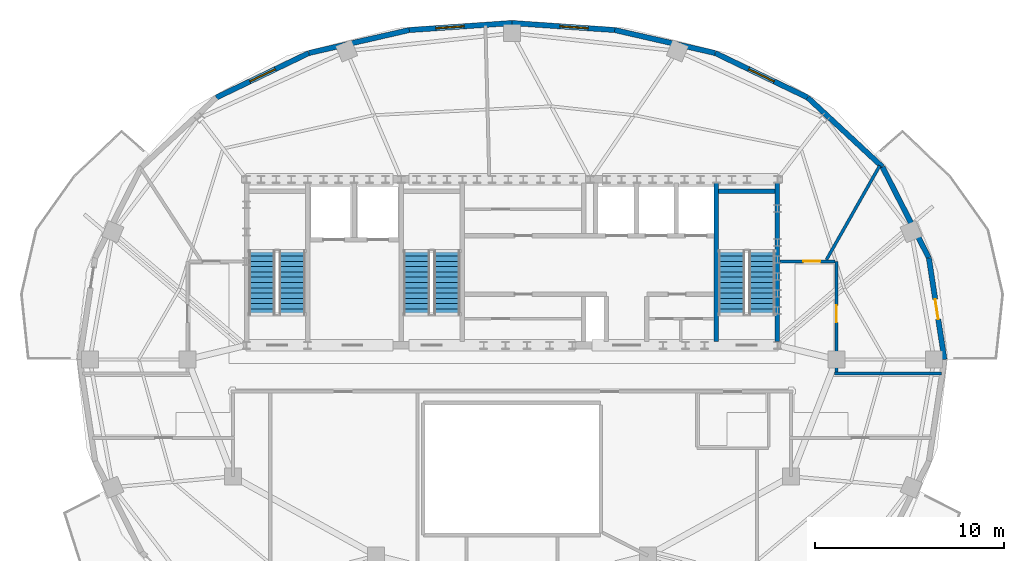
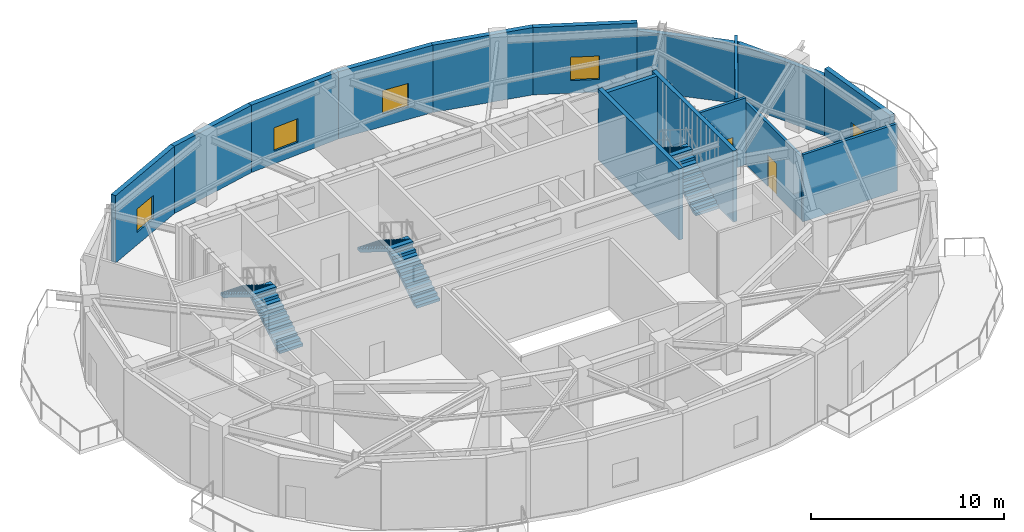
# One storey, part 5 of 9: 16 walls, 6 stair flights, 4 windows, 3 doors, 7 openings, 3 elements without a shape of their own.
"""IFC4 building model written with IfcOpenShell, lengths in metres."""

from ifc_helpers import new_model, si_unit, direction, frame, frame_2d, origin, place, context, subcontext, project, spatial, polyline, rectangle, outline, extrude, material, layer, layer_set, type_object, element, fill, aggregate, save


model = new_model("IFC4")

# Units and contexts
model_context = context("Model", 3, precision=1e-05, world=origin(), true_north=direction((0.0, 1.0)))
body_context = subcontext(model_context, "Body", "Model", "MODEL_VIEW")
ifc_project = project(units=[si_unit("LENGTHUNIT", "METRE"), si_unit("AREAUNIT", "SQUARE_METRE"), si_unit("VOLUMEUNIT", "CUBIC_METRE"), si_unit("PLANEANGLEUNIT", "RADIAN"), si_unit("MASSUNIT", "GRAM", prefix="KILO")], contexts=[model_context])

# Site, building, storey
site_placement = place(None, origin())
site = spatial("IfcSite", under=ifc_project, at=site_placement, CompositionType="ELEMENT")
building_placement = place(site_placement, origin())
building = spatial("IfcBuilding", under=site, at=building_placement, Name="Haldorwick Loom Tower", CompositionType="ELEMENT")
storey_placement = place(building_placement, frame((0.0, 0.0, 277.5)))
storey = spatial("IfcBuildingStorey", under=building, at=storey_placement, Name="L75", CompositionType="ELEMENT", Elevation=277.5)

# Wall, opening, door
ifc_material_1 = material(Name="Pressed Clay Face Brick and Insulated Masonry Backup Assembly", Category="masonry")
ifc_layer_1 = layer(ifc_material_1, 0.280029296875, Name="Pressed Clay Face Brick and Insulated Masonry Backup Assembly", Category="masonry")
ifc_layer_set_1 = layer_set([ifc_layer_1], Name="Pressed Clay Face Brick and Insulated Masonry Backup Assembly")
wall_type_1 = type_object("IfcWallType", Name="ARC-WL-EXT280", PredefinedType="STANDARD", material=ifc_layer_set_1)
wall_1_placement = place(storey_placement, frame((58.9208984375, 26.0, 0.0), z_axis=(0.0, 0.0, 1.0), x_axis=(-0.151110573005, 0.988516866182, 0.0)))
wall_1 = element("IfcWall", 1, at=wall_1_placement, inside=storey, type_object=wall_type_1, Name="L75 Brick Pier and Spandrel Wall 1", PredefinedType="STANDARD", context=body_context, shape_type="SweptSolid", body=[
    extrude(rectangle(XDim=5.4462890625, YDim=0.280029296875, at=frame_2d((2.72314453125, 0.0))), origin(), (0.0, 0.0, 1.0), 4.260009765625),
])
opening_1_placement = place(wall_1_placement, frame((2.15283203125, 0.0, 0.0)))
opening_1 = element("IfcOpeningElement", 2, at=opening_1_placement, cuts=wall_1, Name="Opening D-BL11", PredefinedType="OPENING", context=body_context, shape_type="SweptSolid", body=[
    extrude(rectangle(XDim=1.080078125, YDim=2.0400390625, at=frame_2d((0.5400390625, 1.02001953125))), frame((0.0, 0.14990234375, 0.0), z_axis=(0.0, -1.0, 0.0), x_axis=(1.0, 0.0, 0.0)), (0.0, 0.0, 1.0), 0.300048828125),
])
ifc_material_2 = material(Name="Thermally Broken Anodized Aluminium Curtain Wall Framing", Category="aluminium")
door_type_1 = type_object("IfcDoorType", Name="ARC-DR-BAL110", OperationType="NOTDEFINED", PredefinedType="DOOR", material=ifc_material_2)
door_1_placement = place(opening_1_placement, origin())
door_1 = element("IfcDoor", 3, at=door_1_placement, inside=storey, type_object=door_type_1, Name="L75 Outdoor Terrace Door SLB-L75-BAL_ENE", OperationType="SINGLE_SWING_RIGHT", OverallHeight=2.0400390625, OverallWidth=1.080078125, PredefinedType="DOOR", context=body_context, shape_type="SweptSolid", body=[
    extrude(rectangle(XDim=1.080078125, YDim=2.0400390625, at=frame_2d((0.5400390625, 1.02001953125))), frame((0.0, 0.02490234375, 0.0), z_axis=(0.0, -1.0, 0.0), x_axis=(1.0, 0.0, 0.0)), (0.0, 0.0, 1.0), 0.050048828125),
])
fill(opening_1, door_1)

# Walls
for number, where, z_axis, x_axis, name in (
    (4, (58.097900390625, 31.3837890625, 0.0), (0.0, 0.0, 1.0), (-0.454417014044, 0.890789075678, 0.0), "L75 Brick Pier and Spandrel Wall 2"),
    (5, (55.638671875, 36.20458984375, 0.0), (0.0, 0.0, 1.0), (-0.733156506145, 0.680059951399, 0.0), "L75 Brick Pier and Spandrel Wall 3"),
):
    element("IfcWall", number, at=place(storey_placement, frame(where, z_axis=z_axis, x_axis=x_axis)), inside=storey, type_object=wall_type_1, Name=name, PredefinedType="STANDARD", context=body_context, shape_type="SweptSolid", body=[
        extrude(rectangle(XDim=5.411865234375, YDim=0.280029296875, at=frame_2d((2.7060546875, 0.0))), origin(), (0.0, 0.0, 1.0), 3.76904296875),
    ])

# Wall, opening, window
wall_2_placement = place(storey_placement, frame((51.6708984375, 39.885009765625, 0.0), z_axis=(0.0, 0.0, 1.0), x_axis=(-0.901083511605, 0.433645598518, 0.0)))
wall_2 = element("IfcWall", 6, at=wall_2_placement, inside=storey, type_object=wall_type_1, Name="L75 Brick Pier and Spandrel Wall 4", PredefinedType="STANDARD", context=body_context, shape_type="SweptSolid", body=[
    extrude(rectangle(XDim=5.440185546875, YDim=0.280029296875, at=frame_2d((2.72021484375, 0.0))), origin(), (0.0, 0.0, 1.0), 4.260009765625),
])
opening_2_placement = place(wall_2_placement, frame((1.97021484375, 0.0, 0.800048828125)))
opening_2 = element("IfcOpeningElement", 7, at=opening_2_placement, cuts=wall_2, Name="Opening W-02", PredefinedType="OPENING", context=body_context, shape_type="SweptSolid", body=[
    extrude(rectangle(XDim=1.5, YDim=1.47998046875, at=frame_2d((0.75, 0.739990234375))), frame((0.0, 0.14990234375, 0.0), z_axis=(0.0, -1.0, 0.0), x_axis=(1.0, 0.0, 0.0)), (0.0, 0.0, 1.0), 0.300048828125),
])
ifc_material_3 = material(Name="Triple-Glazed Low-E Argon Insulated Glazing Unit", Category="glass")
window_type = type_object("IfcWindowType", Name="ARC-WIN-W150", PartitioningType="SINGLE_PANEL", PredefinedType="WINDOW", material=ifc_material_3)
window_1_placement = place(opening_2_placement, origin())
window_1 = element("IfcWindow", 8, at=window_1_placement, inside=storey, type_object=window_type, Name="L75 Deep-Set Zone 7A Window 4", OverallHeight=1.47998046875, OverallWidth=1.5, PartitioningType="SINGLE_PANEL", PredefinedType="WINDOW", context=body_context, shape_type="SweptSolid", body=[
    extrude(rectangle(XDim=1.5, YDim=1.47998046875, at=frame_2d((0.75, 0.739990234375))), frame((0.0, 0.030029296875, 0.0), z_axis=(0.0, -1.0, 0.0), x_axis=(1.0, 0.0, 0.0)), (0.0, 0.0, 1.0), 0.06005859375),
])
fill(opening_2, window_1)

# Wall
wall_3_placement = place(storey_placement, frame((46.768798828125, 42.244140625, 0.0), z_axis=(0.0, 0.0, 1.0), x_axis=(-0.974769032237, 0.223215890545, 0.0)))
element("IfcWall", 9, at=wall_3_placement, inside=storey, type_object=wall_type_1, Name="L75 Brick Pier and Spandrel Wall 5", PredefinedType="STANDARD", context=body_context, shape_type="SweptSolid", body=[
    extrude(rectangle(XDim=5.457763671875, YDim=0.280029296875, at=frame_2d((2.72900390625, 0.0))), origin(), (0.0, 0.0, 1.0), 4.260009765625),
])

# Wall, opening, window
wall_4_placement = place(storey_placement, frame((41.44873046875, 43.46240234375, 0.0), z_axis=(0.0, 0.0, 1.0), x_axis=(-0.997667530395, 0.068260521503, 0.0)))
wall_4 = element("IfcWall", 10, at=wall_4_placement, inside=storey, type_object=wall_type_1, Name="L75 Brick Pier and Spandrel Wall 6", PredefinedType="STANDARD", context=body_context, shape_type="SweptSolid", body=[
    extrude(rectangle(XDim=5.46142578125, YDim=0.280029296875, at=frame_2d((2.730712890625, 0.0))), origin(), (0.0, 0.0, 1.0), 4.260009765625),
])
opening_3_placement = place(wall_4_placement, frame((1.413818359375, 0.0, 0.800048828125)))
opening_3 = element("IfcOpeningElement", 11, at=opening_3_placement, cuts=wall_4, Name="Opening W-02", PredefinedType="OPENING", context=body_context, shape_type="SweptSolid", body=[
    extrude(rectangle(XDim=1.5, YDim=1.47998046875, at=frame_2d((0.75, 0.739990234375))), frame((0.0, 0.14990234375, 0.0), z_axis=(0.0, -1.0, 0.0), x_axis=(1.0, 0.0, 0.0)), (0.0, 0.0, 1.0), 0.300048828125),
])
window_2_placement = place(opening_3_placement, origin())
window_2 = element("IfcWindow", 12, at=window_2_placement, inside=storey, type_object=window_type, Name="L75 Deep-Set Zone 7A Window 6", OverallHeight=1.47998046875, OverallWidth=1.5, PartitioningType="SINGLE_PANEL", PredefinedType="WINDOW", context=body_context, shape_type="SweptSolid", body=[
    extrude(rectangle(XDim=1.5, YDim=1.47998046875, at=frame_2d((0.75, 0.739990234375))), frame((0.0, 0.030029296875, 0.0), z_axis=(0.0, -1.0, 0.0), x_axis=(1.0, 0.0, 0.0)), (0.0, 0.0, 1.0), 0.06005859375),
])
fill(opening_3, window_2)

wall_5_placement = place(storey_placement, frame((36.0, 43.835205078125, 0.0), z_axis=(0.0, 0.0, 1.0), x_axis=(-0.997667530395, -0.068260521503, 0.0)))
wall_5 = element("IfcWall", 13, at=wall_5_placement, inside=storey, type_object=wall_type_1, Name="L75 Brick Pier and Spandrel Wall 7", PredefinedType="STANDARD", context=body_context, shape_type="SweptSolid", body=[
    extrude(rectangle(XDim=5.46142578125, YDim=0.280029296875, at=frame_2d((2.730712890625, 0.0))), origin(), (0.0, 0.0, 1.0), 4.260009765625),
])
opening_4_placement = place(wall_5_placement, frame((2.547607421875, 0.0, 0.800048828125)))
opening_4 = element("IfcOpeningElement", 14, at=opening_4_placement, cuts=wall_5, Name="Opening W-02", PredefinedType="OPENING", context=body_context, shape_type="SweptSolid", body=[
    extrude(rectangle(XDim=1.5, YDim=1.47998046875, at=frame_2d((0.75, 0.739990234375))), frame((0.0, 0.14990234375, 0.0), z_axis=(0.0, -1.0, 0.0), x_axis=(1.0, 0.0, 0.0)), (0.0, 0.0, 1.0), 0.300048828125),
])
window_3_placement = place(opening_4_placement, origin())
window_3 = element("IfcWindow", 15, at=window_3_placement, inside=storey, type_object=window_type, Name="L75 Deep-Set Zone 7A Window 7", OverallHeight=1.47998046875, OverallWidth=1.5, PartitioningType="SINGLE_PANEL", PredefinedType="WINDOW", context=body_context, shape_type="SweptSolid", body=[
    extrude(rectangle(XDim=1.5, YDim=1.47998046875, at=frame_2d((0.75, 0.739990234375))), frame((0.0, 0.030029296875, 0.0), z_axis=(0.0, -1.0, 0.0), x_axis=(1.0, 0.0, 0.0)), (0.0, 0.0, 1.0), 0.06005859375),
])
fill(opening_4, window_3)

# Wall
wall_6_placement = place(storey_placement, frame((30.55126953125, 43.46240234375, 0.0), z_axis=(0.0, 0.0, 1.0), x_axis=(-0.974769032237, -0.223215890545, 0.0)))
element("IfcWall", 16, at=wall_6_placement, inside=storey, type_object=wall_type_1, Name="L75 Brick Pier and Spandrel Wall 8", PredefinedType="STANDARD", context=body_context, shape_type="SweptSolid", body=[
    extrude(rectangle(XDim=5.457763671875, YDim=0.280029296875, at=frame_2d((2.72900390625, 0.0))), origin(), (0.0, 0.0, 1.0), 4.260009765625),
])

# Wall, opening, window
wall_7_placement = place(storey_placement, frame((25.231201171875, 42.244140625, 0.0), z_axis=(0.0, 0.0, 1.0), x_axis=(-0.901083511605, -0.433645598518, 0.0)))
wall_7 = element("IfcWall", 17, at=wall_7_placement, inside=storey, type_object=wall_type_1, Name="L75 Brick Pier and Spandrel Wall 9", PredefinedType="STANDARD", context=body_context, shape_type="SweptSolid", body=[
    extrude(rectangle(XDim=5.440185546875, YDim=0.280029296875, at=frame_2d((2.72021484375, 0.0))), origin(), (0.0, 0.0, 1.0), 4.260009765625),
])
opening_5_placement = place(wall_7_placement, frame((1.97021484375, 0.0, 0.800048828125)))
opening_5 = element("IfcOpeningElement", 18, at=opening_5_placement, cuts=wall_7, Name="Opening W-02", PredefinedType="OPENING", context=body_context, shape_type="SweptSolid", body=[
    extrude(rectangle(XDim=1.5, YDim=1.47998046875, at=frame_2d((0.75, 0.739990234375))), frame((0.0, 0.14990234375, 0.0), z_axis=(0.0, -1.0, 0.0), x_axis=(1.0, 0.0, 0.0)), (0.0, 0.0, 1.0), 0.300048828125),
])
window_4_placement = place(opening_5_placement, origin())
window_4 = element("IfcWindow", 19, at=window_4_placement, inside=storey, type_object=window_type, Name="L75 Deep-Set Zone 7A Window 9", OverallHeight=1.47998046875, OverallWidth=1.5, PartitioningType="SINGLE_PANEL", PredefinedType="WINDOW", context=body_context, shape_type="SweptSolid", body=[
    extrude(rectangle(XDim=1.5, YDim=1.47998046875, at=frame_2d((0.75, 0.739990234375))), frame((0.0, 0.030029296875, 0.0), z_axis=(0.0, -1.0, 0.0), x_axis=(1.0, 0.0, 0.0)), (0.0, 0.0, 1.0), 0.06005859375),
])
fill(opening_5, window_4)

# Wall
ifc_material_4 = material(Name="Fire-Rated Type X Gypsum Stud Assembly EI 60")
ifc_layer_2 = layer(ifc_material_4, 0.159912109375, Name="Fire-Rated Type X Gypsum Stud Assembly EI 60")
ifc_layer_set_2 = layer_set([ifc_layer_2], Name="Fire-Rated Type X Gypsum Stud Assembly EI 60")
wall_type_2 = type_object("IfcWallType", Name="ARC-WL-FIRE160", PredefinedType="PARTITIONING", material=ifc_layer_set_2)
wall_8_placement = place(storey_placement, frame((53.10009765625, 25.25, 0.0), z_axis=(0.0, 0.0, 1.0), x_axis=(1.0, 0.0, 0.0)))
element("IfcWall", 20, at=wall_8_placement, inside=storey, type_object=wall_type_2, Name="L75 Residential Fire Partition L75-CR-NEL", PredefinedType="PARTITIONING", context=body_context, shape_type="SweptSolid", body=[
    extrude(rectangle(XDim=5.660400390625, YDim=0.159912109375, at=frame_2d((2.830078125, 0.0))), origin(), (0.0, 0.0, 1.0), 4.2451171875),
])

# Wall, opening, door
wall_9_placement = place(storey_placement, frame((53.199951171875, 25.3330078125, 0.0), z_axis=(0.0, 0.0, 1.0), x_axis=(0.0, 1.0, 0.0)))
wall_9 = element("IfcWall", 21, at=wall_9_placement, inside=storey, type_object=wall_type_2, Name="L75 Residential Fire Partition L75-CR-E0", PredefinedType="PARTITIONING", context=body_context, shape_type="SweptSolid", body=[
    extrude(rectangle(XDim=5.866943359375, YDim=0.159912109375, at=frame_2d((2.93359375, 0.0))), origin(), (0.0, 0.0, 1.0), 3.97705078125),
])
opening_6_placement = place(wall_9_placement, frame((2.634521484375, 0.0, 0.0)))
opening_6 = element("IfcOpeningElement", 22, at=opening_6_placement, cuts=wall_9, Name="Opening D-FD60A", PredefinedType="OPENING", context=body_context, shape_type="SweptSolid", body=[
    extrude(rectangle(XDim=0.89990234375, YDim=2.0, at=frame_2d((0.449951171875, 1.0))), frame((0.0, 0.08984375, 0.0), z_axis=(0.0, -1.0, 0.0), x_axis=(1.0, 0.0, 0.0)), (0.0, 0.0, 1.0), 0.179931640625),
])
ifc_material_5 = material(Name="Hollow Steel Fire Door Assembly", Category="steel")
door_type_2 = type_object("IfcDoorType", Name="ARC-DR-FD60-90", OperationType="NOTDEFINED", PredefinedType="DOOR", material=ifc_material_5)
door_2_placement = place(opening_6_placement, origin())
door_2 = element("IfcDoor", 23, at=door_2_placement, inside=storey, type_object=door_type_2, Name="L75 L75 Central Residential Corridor to Co-Working Open Office 1 Door", OperationType="SINGLE_SWING_RIGHT", OverallHeight=2.0, OverallWidth=0.89990234375, PredefinedType="DOOR", context=body_context, shape_type="SweptSolid", body=[
    extrude(rectangle(XDim=0.89990234375, YDim=2.0, at=frame_2d((0.449951171875, 1.0))), frame((0.0, 0.02490234375, 0.0), z_axis=(0.0, -1.0, 0.0), x_axis=(1.0, 0.0, 0.0)), (0.0, 0.0, 1.0), 0.050048828125),
])
fill(opening_6, door_2)

wall_10_placement = place(storey_placement, frame((50.193115234375, 31.199951171875, 0.0), z_axis=(0.0, 0.0, 1.0), x_axis=(1.0, 0.0, 0.0)))
wall_10 = element("IfcWall", 24, at=wall_10_placement, inside=storey, type_object=wall_type_2, Name="L75 Residential Fire Partition L75-CR-ENJ", PredefinedType="PARTITIONING", context=body_context, shape_type="SweptSolid", body=[
    extrude(rectangle(XDim=2.923828125, YDim=0.159912109375, at=frame_2d((1.4619140625, 0.0))), origin(), (0.0, 0.0, 1.0), 4.2451171875),
])
opening_7_placement = place(wall_10_placement, frame((1.25634765625, 0.0, 0.0)))
opening_7 = element("IfcOpeningElement", 25, at=opening_7_placement, cuts=wall_10, Name="Opening D-FD60A", PredefinedType="OPENING", context=body_context, shape_type="SweptSolid", body=[
    extrude(rectangle(XDim=0.89990234375, YDim=2.0, at=frame_2d((0.449951171875, 1.0))), frame((0.0, 0.08984375, 0.0), z_axis=(0.0, -1.0, 0.0), x_axis=(1.0, 0.0, 0.0)), (0.0, 0.0, 1.0), 0.179931640625),
])
door_3_placement = place(opening_7_placement, frame((0.89990234375, 0.0, 0.0), z_axis=(0.0, 0.0, 1.0), x_axis=(-1.0, 0.0, 0.0)))
door_3 = element("IfcDoor", 26, at=door_3_placement, inside=storey, type_object=door_type_2, Name="L75 Co-Working Open Office 4 to L75 Central Residential Corridor Door", OperationType="SINGLE_SWING_RIGHT", OverallHeight=2.0, OverallWidth=0.89990234375, PredefinedType="DOOR", context=body_context, shape_type="SweptSolid", body=[
    extrude(rectangle(XDim=0.89990234375, YDim=2.0, at=frame_2d((0.449951171875, 1.0))), frame((0.0, 0.02490234375, 0.0), z_axis=(0.0, -1.0, 0.0), x_axis=(1.0, 0.0, 0.0)), (0.0, 0.0, 1.0), 0.050048828125),
])
fill(opening_7, door_3)

# Walls
wall_11_placement = place(storey_placement, frame((55.494873046875, 36.276611328125, 0.0), z_axis=(0.0, 0.0, 1.0), x_axis=(-0.49292885345, -0.870069621028, 0.0)))
element("IfcWall", 27, at=wall_11_placement, inside=storey, type_object=wall_type_2, Name="L75 Suite Split Wall", PredefinedType="PARTITIONING", context=body_context, shape_type="SweptSolid", body=[
    extrude(rectangle(XDim=5.7392578125, YDim=0.159912109375, at=frame_2d((2.86962890625, 0.0))), origin(), (0.0, 0.0, 1.0), 4.2451171875),
])
ifc_material_6 = material(Name="Concrete C50 (50 MPa)", Category="concrete")
ifc_layer_3 = layer(ifc_material_6, 0.239990234375, Name="Concrete C50 (50 MPa)", Category="concrete")
ifc_layer_set_3 = layer_set([ifc_layer_3], Name="Concrete C50 (50 MPa)")
wall_type_3 = type_object("IfcWallType", Name="STR-WL-SHAFT240", PredefinedType="SHEAR", material=ifc_layer_set_3)
for number, where, z_axis, x_axis, name in (
    (28, (50.070068359375, 26.952880859375, 0.0), (0.0, 0.0, 1.0), (0.0, 1.0, 0.0), "L75 Core Shear Wall E"),
    (29, (46.830078125, 26.952880859375, 0.0), (0.0, 0.0, 1.0), (0.0, 1.0, 0.0), "L75 Core Shear Wall 4"),
):
    element("IfcWall", number, at=place(storey_placement, frame(where, z_axis=z_axis, x_axis=x_axis)), inside=storey, type_object=wall_type_3, Name=name, PredefinedType="SHEAR", context=body_context, shape_type="SweptSolid", body=[
        extrude(rectangle(XDim=8.39404296875, YDim=0.239990234375, at=frame_2d((4.197021484375, 0.0))), origin(), (0.0, 0.0, 1.0), 4.5),
    ])
wall_12_placement = place(storey_placement, frame((46.952880859375, 34.919921875, 0.0), z_axis=(0.0, 0.0, 1.0), x_axis=(1.0, 0.0, 0.0)))
element("IfcWall", 30, at=wall_12_placement, inside=storey, type_object=wall_type_3, Name="L75 Core Shear Wall 4N", PredefinedType="SHEAR", context=body_context, shape_type="SweptSolid", body=[
    extrude(rectangle(XDim=2.994140625, YDim=0.239990234375, at=frame_2d((1.4970703125, 0.0))), origin(), (0.0, 0.0, 1.0), 4.5),
])

# Stair, stair flights
ifc_material_7 = material(Name="Concrete C40 (40 MPa)", Category="concrete")
stair_type = type_object("IfcStairType", Name="STR-STR-CORE", PredefinedType="HALF_TURN_STAIR", material=ifc_material_7)
stair_1_placement = place(storey_placement, origin())
stair_1 = element("IfcStair", 31, at=stair_1_placement, inside=storey, type_object=stair_type, Name="L75 Exit Stair ST-01", PredefinedType="HALF_TURN_STAIR")
stair_flight_type = type_object("IfcStairFlightType", Name="STR-STF-1250", PredefinedType="STRAIGHT", material=ifc_material_7)
stair_flight_1_placement = place(storey_placement, frame((24.35009765625, 28.39990234375, 0.0), z_axis=(0.0, 0.0, 1.0), x_axis=(0.0, 1.0, 0.0)))
stair_flight_1 = element("IfcStairFlight", 32, at=stair_flight_1_placement, type_object=stair_flight_type, Name="ST-01 flight 1", NumberOfRisers=13, NumberOfTreads=12, PredefinedType="STRAIGHT", RiserHeight=0.173076923, TreadLength=0.28, context=body_context, shape_type="SweptSolid", body=[
    extrude(outline(polyline([(0.0, 0.0), (0.0, 0.173095703125), (0.280029296875, 0.173095703125), (0.280029296875, 0.34619140625), (0.56005859375, 0.34619140625), (0.56005859375, 0.519287109375), (0.840087890625, 0.519287109375), (0.840087890625, 0.6923828125), (1.1201171875, 0.6923828125), (1.1201171875, 0.865478515625), (1.39990234375, 0.865478515625), (1.39990234375, 1.03857421875), (1.679931640625, 1.03857421875), (1.679931640625, 1.21142578125), (1.9599609375, 1.21142578125), (1.9599609375, 1.384521484375), (2.239990234375, 1.384521484375), (2.239990234375, 1.5576171875), (2.52001953125, 1.5576171875), (2.52001953125, 1.730712890625), (2.800048828125, 1.730712890625), (2.800048828125, 1.90380859375), (3.080078125, 1.90380859375), (3.080078125, 2.076904296875), (3.360107421875, 2.076904296875), (3.360107421875, 2.25), (3.360107421875, 1.900634765625), (0.28515625, 0.0), (0.0, 0.0)])), frame((0.0, 0.699951171875, 0.0), z_axis=(0.0, -1.0, 0.0), x_axis=(1.0, 0.0, 0.0)), (0.0, 0.0, 1.0), 1.39990234375),
])
stair_flight_2_placement = place(storey_placement, frame((22.75, 31.760009765625, 2.25), z_axis=(0.0, 0.0, 1.0), x_axis=(0.0, -1.0, 0.0)))
stair_flight_2 = element("IfcStairFlight", 33, at=stair_flight_2_placement, type_object=stair_flight_type, Name="ST-01 flight 2", NumberOfRisers=13, NumberOfTreads=12, PredefinedType="STRAIGHT", RiserHeight=0.173076923, TreadLength=0.28, context=body_context, shape_type="SweptSolid", body=[
    extrude(outline(polyline([(0.0, 0.0), (0.0, 0.173095703125), (0.280029296875, 0.173095703125), (0.280029296875, 0.34619140625), (0.56005859375, 0.34619140625), (0.56005859375, 0.519287109375), (0.840087890625, 0.519287109375), (0.840087890625, 0.6923828125), (1.1201171875, 0.6923828125), (1.1201171875, 0.865478515625), (1.39990234375, 0.865478515625), (1.39990234375, 1.03857421875), (1.679931640625, 1.03857421875), (1.679931640625, 1.21142578125), (1.9599609375, 1.21142578125), (1.9599609375, 1.384521484375), (2.239990234375, 1.384521484375), (2.239990234375, 1.5576171875), (2.52001953125, 1.5576171875), (2.52001953125, 1.730712890625), (2.800048828125, 1.730712890625), (2.800048828125, 1.90380859375), (3.080078125, 1.90380859375), (3.080078125, 2.076904296875), (3.360107421875, 2.076904296875), (3.360107421875, 2.25), (3.360107421875, 1.900634765625), (0.28515625, 0.0), (0.0, 0.0)])), frame((0.0, 0.699951171875, 0.0), z_axis=(0.0, -1.0, 0.0), x_axis=(1.0, 0.0, 0.0)), (0.0, 0.0, 1.0), 1.39990234375),
])
aggregate(stair_1, [stair_flight_1, stair_flight_2])

stair_2_placement = place(storey_placement, origin())
stair_2 = element("IfcStair", 34, at=stair_2_placement, inside=storey, type_object=stair_type, Name="L75 Exit Stair ST-02", PredefinedType="HALF_TURN_STAIR")
stair_flight_3_placement = place(storey_placement, frame((49.25, 28.39990234375, 0.0), z_axis=(0.0, 0.0, 1.0), x_axis=(0.0, 1.0, 0.0)))
stair_flight_3 = element("IfcStairFlight", 35, at=stair_flight_3_placement, type_object=stair_flight_type, Name="ST-02 flight 1", NumberOfRisers=13, NumberOfTreads=12, PredefinedType="STRAIGHT", RiserHeight=0.173076923, TreadLength=0.28, context=body_context, shape_type="SweptSolid", body=[
    extrude(outline(polyline([(0.0, 0.0), (0.0, 0.173095703125), (0.280029296875, 0.173095703125), (0.280029296875, 0.34619140625), (0.56005859375, 0.34619140625), (0.56005859375, 0.519287109375), (0.840087890625, 0.519287109375), (0.840087890625, 0.6923828125), (1.1201171875, 0.6923828125), (1.1201171875, 0.865478515625), (1.39990234375, 0.865478515625), (1.39990234375, 1.03857421875), (1.679931640625, 1.03857421875), (1.679931640625, 1.21142578125), (1.9599609375, 1.21142578125), (1.9599609375, 1.384521484375), (2.239990234375, 1.384521484375), (2.239990234375, 1.5576171875), (2.52001953125, 1.5576171875), (2.52001953125, 1.730712890625), (2.800048828125, 1.730712890625), (2.800048828125, 1.90380859375), (3.080078125, 1.90380859375), (3.080078125, 2.076904296875), (3.360107421875, 2.076904296875), (3.360107421875, 2.25), (3.360107421875, 1.900634765625), (0.28515625, 0.0), (0.0, 0.0)])), frame((0.0, 0.699951171875, 0.0), z_axis=(0.0, -1.0, 0.0), x_axis=(1.0, 0.0, 0.0)), (0.0, 0.0, 1.0), 1.39990234375),
])
stair_flight_4_placement = place(storey_placement, frame((47.64990234375, 31.760009765625, 2.25), z_axis=(0.0, 0.0, 1.0), x_axis=(0.0, -1.0, 0.0)))
stair_flight_4 = element("IfcStairFlight", 36, at=stair_flight_4_placement, type_object=stair_flight_type, Name="ST-02 flight 2", NumberOfRisers=13, NumberOfTreads=12, PredefinedType="STRAIGHT", RiserHeight=0.173076923, TreadLength=0.28, context=body_context, shape_type="SweptSolid", body=[
    extrude(outline(polyline([(0.0, 0.0), (0.0, 0.173095703125), (0.280029296875, 0.173095703125), (0.280029296875, 0.34619140625), (0.56005859375, 0.34619140625), (0.56005859375, 0.519287109375), (0.840087890625, 0.519287109375), (0.840087890625, 0.6923828125), (1.1201171875, 0.6923828125), (1.1201171875, 0.865478515625), (1.39990234375, 0.865478515625), (1.39990234375, 1.03857421875), (1.679931640625, 1.03857421875), (1.679931640625, 1.21142578125), (1.9599609375, 1.21142578125), (1.9599609375, 1.384521484375), (2.239990234375, 1.384521484375), (2.239990234375, 1.5576171875), (2.52001953125, 1.5576171875), (2.52001953125, 1.730712890625), (2.800048828125, 1.730712890625), (2.800048828125, 1.90380859375), (3.080078125, 1.90380859375), (3.080078125, 2.076904296875), (3.360107421875, 2.076904296875), (3.360107421875, 2.25), (3.360107421875, 1.900634765625), (0.28515625, 0.0), (0.0, 0.0)])), frame((0.0, 0.699951171875, 0.0), z_axis=(0.0, -1.0, 0.0), x_axis=(1.0, 0.0, 0.0)), (0.0, 0.0, 1.0), 1.39990234375),
])
aggregate(stair_2, [stair_flight_3, stair_flight_4])

stair_3_placement = place(storey_placement, origin())
stair_3 = element("IfcStair", 37, at=stair_3_placement, inside=storey, type_object=stair_type, Name="L75 Exit Stair ST-03", PredefinedType="HALF_TURN_STAIR")
stair_flight_5_placement = place(storey_placement, frame((32.550048828125, 28.39990234375, 0.0), z_axis=(0.0, 0.0, 1.0), x_axis=(0.0, 1.0, 0.0)))
stair_flight_5 = element("IfcStairFlight", 38, at=stair_flight_5_placement, type_object=stair_flight_type, Name="ST-03 flight 1", NumberOfRisers=13, NumberOfTreads=12, PredefinedType="STRAIGHT", RiserHeight=0.173076923, TreadLength=0.28, context=body_context, shape_type="SweptSolid", body=[
    extrude(outline(polyline([(0.0, 0.0), (0.0, 0.173095703125), (0.280029296875, 0.173095703125), (0.280029296875, 0.34619140625), (0.56005859375, 0.34619140625), (0.56005859375, 0.519287109375), (0.840087890625, 0.519287109375), (0.840087890625, 0.6923828125), (1.1201171875, 0.6923828125), (1.1201171875, 0.865478515625), (1.39990234375, 0.865478515625), (1.39990234375, 1.03857421875), (1.679931640625, 1.03857421875), (1.679931640625, 1.21142578125), (1.9599609375, 1.21142578125), (1.9599609375, 1.384521484375), (2.239990234375, 1.384521484375), (2.239990234375, 1.5576171875), (2.52001953125, 1.5576171875), (2.52001953125, 1.730712890625), (2.800048828125, 1.730712890625), (2.800048828125, 1.90380859375), (3.080078125, 1.90380859375), (3.080078125, 2.076904296875), (3.360107421875, 2.076904296875), (3.360107421875, 2.25), (3.360107421875, 1.900634765625), (0.28515625, 0.0), (0.0, 0.0)])), frame((0.0, 0.699951171875, 0.0), z_axis=(0.0, -1.0, 0.0), x_axis=(1.0, 0.0, 0.0)), (0.0, 0.0, 1.0), 1.39990234375),
])
stair_flight_6_placement = place(storey_placement, frame((30.949951171875, 31.760009765625, 2.25), z_axis=(0.0, 0.0, 1.0), x_axis=(0.0, -1.0, 0.0)))
stair_flight_6 = element("IfcStairFlight", 39, at=stair_flight_6_placement, type_object=stair_flight_type, Name="ST-03 flight 2", NumberOfRisers=13, NumberOfTreads=12, PredefinedType="STRAIGHT", RiserHeight=0.173076923, TreadLength=0.28, context=body_context, shape_type="SweptSolid", body=[
    extrude(outline(polyline([(0.0, 0.0), (0.0, 0.173095703125), (0.280029296875, 0.173095703125), (0.280029296875, 0.34619140625), (0.56005859375, 0.34619140625), (0.56005859375, 0.519287109375), (0.840087890625, 0.519287109375), (0.840087890625, 0.6923828125), (1.1201171875, 0.6923828125), (1.1201171875, 0.865478515625), (1.39990234375, 0.865478515625), (1.39990234375, 1.03857421875), (1.679931640625, 1.03857421875), (1.679931640625, 1.21142578125), (1.9599609375, 1.21142578125), (1.9599609375, 1.384521484375), (2.239990234375, 1.384521484375), (2.239990234375, 1.5576171875), (2.52001953125, 1.5576171875), (2.52001953125, 1.730712890625), (2.800048828125, 1.730712890625), (2.800048828125, 1.90380859375), (3.080078125, 1.90380859375), (3.080078125, 2.076904296875), (3.360107421875, 2.076904296875), (3.360107421875, 2.25), (3.360107421875, 1.900634765625), (0.28515625, 0.0), (0.0, 0.0)])), frame((0.0, 0.699951171875, 0.0), z_axis=(0.0, -1.0, 0.0), x_axis=(1.0, 0.0, 0.0)), (0.0, 0.0, 1.0), 1.39990234375),
])
aggregate(stair_3, [stair_flight_5, stair_flight_6])

save(model, "model.ifc")
